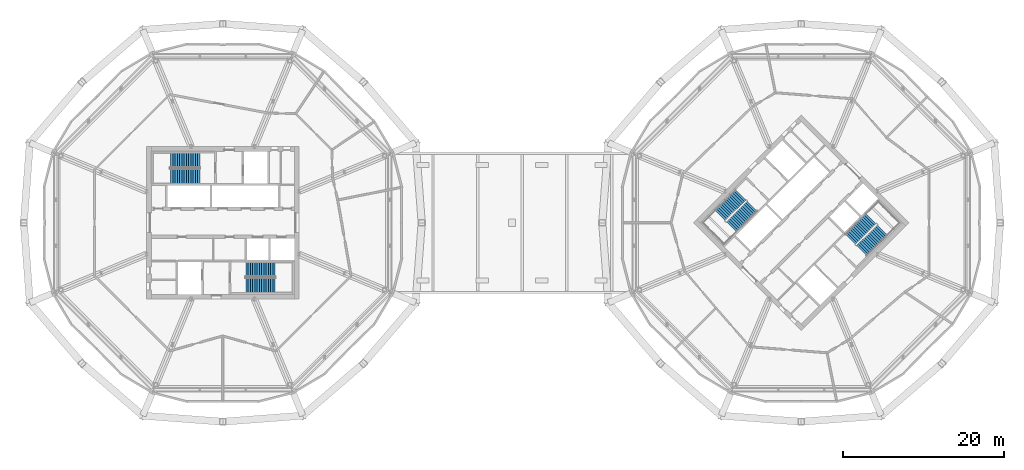
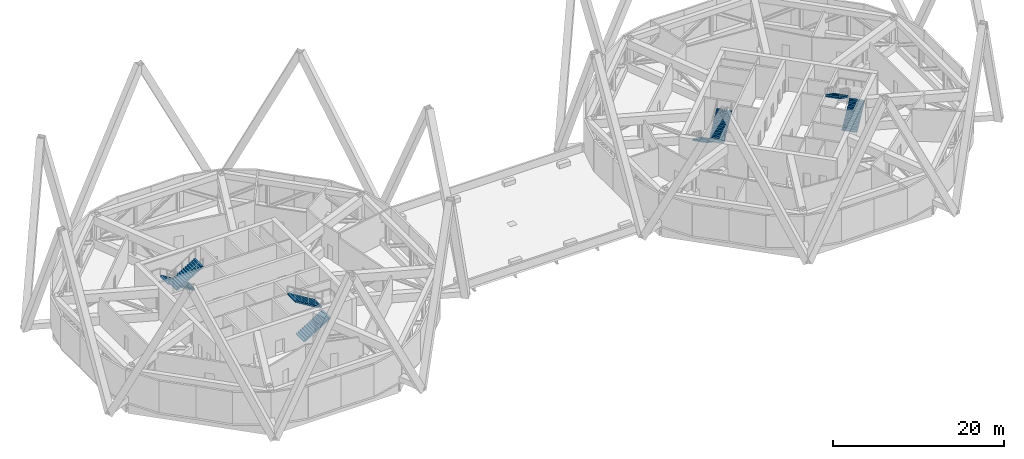
# One storey, part 18 of 20: 8 stair flights, 4 elements without a shape of their own.
"""IFC4 building model written with IfcOpenShell, lengths in metres."""

from ifc_helpers import new_model, si_unit, direction, frame, origin, place, context, subcontext, project, spatial, polyline, outline, extrude, material, type_object, element, aggregate, save


model = new_model("IFC4")

# Units and contexts
model_context = context("Model", 3, precision=1e-05, world=origin(), true_north=direction((0.0, 1.0)))
body_context = subcontext(model_context, "Body", "Model", "MODEL_VIEW")
ifc_project = project(units=[si_unit("LENGTHUNIT", "METRE"), si_unit("AREAUNIT", "SQUARE_METRE"), si_unit("VOLUMEUNIT", "CUBIC_METRE"), si_unit("PLANEANGLEUNIT", "RADIAN"), si_unit("MASSUNIT", "GRAM", prefix="KILO")], contexts=[model_context])

# Site, building, storey
site_placement = place(None, origin())
site = spatial("IfcSite", under=ifc_project, at=site_placement, CompositionType="ELEMENT")
building_placement = place(site_placement, origin())
building = spatial("IfcBuilding", under=site, at=building_placement, Name="Ogive Gate Towers", CompositionType="ELEMENT")
storey_placement = place(building_placement, frame((0.0, 0.0, 160.800048828125)))
storey = spatial("IfcBuildingStorey", under=building, at=storey_placement, Name="L38", CompositionType="ELEMENT", Elevation=160.800048828125)

# Stair, stair flights
ifc_material = material(Name="Concrete C40/50", Category="concrete")
stair_type = type_object("IfcStairType", Name="Escape stair 1840 wide", PredefinedType="HALF_TURN_STAIR", material=ifc_material)
stair_1_placement = place(storey_placement, origin())
stair_1 = element("IfcStair", 1, at=stair_1_placement, inside=storey, type_object=stair_type, Name="L38 Escape stair 1", PredefinedType="HALF_TURN_STAIR")
stair_flight_type = type_object("IfcStairFlightType", Name="Stair flight 1840 wide", PredefinedType="STRAIGHT", material=ifc_material)
stair_flight_1_placement = place(storey_placement, frame((-38.864990234375, 7.780029296875, 0.0), z_axis=(0.0, 0.0, 1.0), x_axis=(-1.0, 0.0, 0.0)))
stair_flight_1 = element("IfcStairFlight", 2, at=stair_flight_1_placement, type_object=stair_flight_type, Name="ST1 flight 1", NumberOfRisers=14, NumberOfTreads=13, PredefinedType="STRAIGHT", RiserHeight=0.171428571, TreadLength=0.28, context=body_context, shape_type="SweptSolid", body=[
    extrude(outline(polyline([(0.0, 0.0), (0.0, 0.17138671875), (0.280029296875, 0.17138671875), (0.280029296875, 0.3427734375), (0.56005859375, 0.3427734375), (0.56005859375, 0.514404296875), (0.840087890625, 0.514404296875), (0.840087890625, 0.685791015625), (1.1201171875, 0.685791015625), (1.1201171875, 0.857177734375), (1.39990234375, 0.857177734375), (1.39990234375, 1.028564453125), (1.679931640625, 1.028564453125), (1.679931640625, 1.199951171875), (1.9599609375, 1.199951171875), (1.9599609375, 1.371337890625), (2.239990234375, 1.371337890625), (2.239990234375, 1.54296875), (2.52001953125, 1.54296875), (2.52001953125, 1.71435546875), (2.800048828125, 1.71435546875), (2.800048828125, 1.8857421875), (3.080078125, 1.8857421875), (3.080078125, 2.05712890625), (3.360107421875, 2.05712890625), (3.360107421875, 2.228515625), (3.639892578125, 2.228515625), (3.639892578125, 2.39990234375), (3.639892578125, 2.052734375), (0.287109375, 0.0), (0.0, 0.0)])), frame((0.0, 0.919921875, 0.0), z_axis=(0.0, -1.0, 0.0), x_axis=(1.0, 0.0, 0.0)), (0.0, 0.0, 1.0), 1.840087890625),
])
stair_flight_2_placement = place(storey_placement, frame((-42.5048828125, 5.794921875, 2.39990234375), z_axis=(0.0, 0.0, 1.0), x_axis=(1.0, 0.0, 0.0)))
stair_flight_2 = element("IfcStairFlight", 3, at=stair_flight_2_placement, type_object=stair_flight_type, Name="ST1 flight 2", NumberOfRisers=14, NumberOfTreads=13, PredefinedType="STRAIGHT", RiserHeight=0.171428571, TreadLength=0.28, context=body_context, shape_type="SweptSolid", body=[
    extrude(outline(polyline([(0.0, 0.0), (0.0, 0.17138671875), (0.280029296875, 0.17138671875), (0.280029296875, 0.3427734375), (0.56005859375, 0.3427734375), (0.56005859375, 0.514404296875), (0.840087890625, 0.514404296875), (0.840087890625, 0.685791015625), (1.1201171875, 0.685791015625), (1.1201171875, 0.857177734375), (1.39990234375, 0.857177734375), (1.39990234375, 1.028564453125), (1.679931640625, 1.028564453125), (1.679931640625, 1.199951171875), (1.9599609375, 1.199951171875), (1.9599609375, 1.371337890625), (2.239990234375, 1.371337890625), (2.239990234375, 1.54296875), (2.52001953125, 1.54296875), (2.52001953125, 1.71435546875), (2.800048828125, 1.71435546875), (2.800048828125, 1.8857421875), (3.080078125, 1.8857421875), (3.080078125, 2.05712890625), (3.360107421875, 2.05712890625), (3.360107421875, 2.228515625), (3.639892578125, 2.228515625), (3.639892578125, 2.39990234375), (3.639892578125, 2.052734375), (0.287109375, 0.0), (0.0, 0.0)])), frame((0.0, 0.919921875, 0.0), z_axis=(0.0, -1.0, 0.0), x_axis=(1.0, 0.0, 0.0)), (0.0, 0.0, 1.0), 1.840087890625),
])
aggregate(stair_1, [stair_flight_1, stair_flight_2])

stair_2_placement = place(storey_placement, origin())
stair_2 = element("IfcStair", 4, at=stair_2_placement, inside=storey, type_object=stair_type, Name="L38 Escape stair 2", PredefinedType="HALF_TURN_STAIR")
stair_flight_3_placement = place(storey_placement, frame((-33.135009765625, -7.780029296875, 0.0), z_axis=(0.0, 0.0, 1.0), x_axis=(1.0, 0.0, 0.0)))
stair_flight_3 = element("IfcStairFlight", 5, at=stair_flight_3_placement, type_object=stair_flight_type, Name="ST2 flight 1", NumberOfRisers=14, NumberOfTreads=13, PredefinedType="STRAIGHT", RiserHeight=0.171428571, TreadLength=0.28, context=body_context, shape_type="SweptSolid", body=[
    extrude(outline(polyline([(0.0, 0.0), (0.0, 0.17138671875), (0.280029296875, 0.17138671875), (0.280029296875, 0.3427734375), (0.56005859375, 0.3427734375), (0.56005859375, 0.514404296875), (0.840087890625, 0.514404296875), (0.840087890625, 0.685791015625), (1.1201171875, 0.685791015625), (1.1201171875, 0.857177734375), (1.39990234375, 0.857177734375), (1.39990234375, 1.028564453125), (1.679931640625, 1.028564453125), (1.679931640625, 1.199951171875), (1.9599609375, 1.199951171875), (1.9599609375, 1.371337890625), (2.239990234375, 1.371337890625), (2.239990234375, 1.54296875), (2.52001953125, 1.54296875), (2.52001953125, 1.71435546875), (2.800048828125, 1.71435546875), (2.800048828125, 1.8857421875), (3.080078125, 1.8857421875), (3.080078125, 2.05712890625), (3.360107421875, 2.05712890625), (3.360107421875, 2.228515625), (3.639892578125, 2.228515625), (3.639892578125, 2.39990234375), (3.639892578125, 2.052734375), (0.287109375, 0.0), (0.0, 0.0)])), frame((0.0, 0.919921875, 0.0), z_axis=(0.0, -1.0, 0.0), x_axis=(1.0, 0.0, 0.0)), (0.0, 0.0, 1.0), 1.840087890625),
])
stair_flight_4_placement = place(storey_placement, frame((-29.4951171875, -5.794921875, 2.39990234375), z_axis=(0.0, 0.0, 1.0), x_axis=(-1.0, 0.0, 0.0)))
stair_flight_4 = element("IfcStairFlight", 6, at=stair_flight_4_placement, type_object=stair_flight_type, Name="ST2 flight 2", NumberOfRisers=14, NumberOfTreads=13, PredefinedType="STRAIGHT", RiserHeight=0.171428571, TreadLength=0.28, context=body_context, shape_type="SweptSolid", body=[
    extrude(outline(polyline([(0.0, 0.0), (0.0, 0.17138671875), (0.280029296875, 0.17138671875), (0.280029296875, 0.3427734375), (0.56005859375, 0.3427734375), (0.56005859375, 0.514404296875), (0.840087890625, 0.514404296875), (0.840087890625, 0.685791015625), (1.1201171875, 0.685791015625), (1.1201171875, 0.857177734375), (1.39990234375, 0.857177734375), (1.39990234375, 1.028564453125), (1.679931640625, 1.028564453125), (1.679931640625, 1.199951171875), (1.9599609375, 1.199951171875), (1.9599609375, 1.371337890625), (2.239990234375, 1.371337890625), (2.239990234375, 1.54296875), (2.52001953125, 1.54296875), (2.52001953125, 1.71435546875), (2.800048828125, 1.71435546875), (2.800048828125, 1.8857421875), (3.080078125, 1.8857421875), (3.080078125, 2.05712890625), (3.360107421875, 2.05712890625), (3.360107421875, 2.228515625), (3.639892578125, 2.228515625), (3.639892578125, 2.39990234375), (3.639892578125, 2.052734375), (0.287109375, 0.0), (0.0, 0.0)])), frame((0.0, 0.919921875, 0.0), z_axis=(0.0, -1.0, 0.0), x_axis=(1.0, 0.0, 0.0)), (0.0, 0.0, 1.0), 1.840087890625),
])
aggregate(stair_2, [stair_flight_3, stair_flight_4])

stair_3_placement = place(storey_placement, origin())
stair_3 = element("IfcStair", 7, at=stair_3_placement, inside=storey, type_object=stair_type, Name="L38 Escape stair 1", PredefinedType="HALF_TURN_STAIR")
stair_flight_5_placement = place(storey_placement, frame((28.472900390625, 3.475341796875, 0.0), z_axis=(0.0, 0.0, 1.0), x_axis=(-0.707106781187, -0.707106781187, 0.0)))
stair_flight_5 = element("IfcStairFlight", 8, at=stair_flight_5_placement, type_object=stair_flight_type, Name="ST1 flight 1", NumberOfRisers=14, NumberOfTreads=13, PredefinedType="STRAIGHT", RiserHeight=0.171428571, TreadLength=0.28, context=body_context, shape_type="SweptSolid", body=[
    extrude(outline(polyline([(0.0, 0.0), (0.0, 0.17138671875), (0.280029296875, 0.17138671875), (0.280029296875, 0.3427734375), (0.56005859375, 0.3427734375), (0.56005859375, 0.514404296875), (0.840087890625, 0.514404296875), (0.840087890625, 0.685791015625), (1.1201171875, 0.685791015625), (1.1201171875, 0.857177734375), (1.39990234375, 0.857177734375), (1.39990234375, 1.028564453125), (1.679931640625, 1.028564453125), (1.679931640625, 1.199951171875), (1.9599609375, 1.199951171875), (1.9599609375, 1.371337890625), (2.239990234375, 1.371337890625), (2.239990234375, 1.54296875), (2.52001953125, 1.54296875), (2.52001953125, 1.71435546875), (2.800048828125, 1.71435546875), (2.800048828125, 1.8857421875), (3.080078125, 1.8857421875), (3.080078125, 2.05712890625), (3.360107421875, 2.05712890625), (3.360107421875, 2.228515625), (3.639892578125, 2.228515625), (3.639892578125, 2.39990234375), (3.639892578125, 2.052734375), (0.287109375, 0.0), (0.0, 0.0)])), frame((0.0, 0.919921875, 0.0), z_axis=(0.0, -1.0, 0.0), x_axis=(1.0, 0.0, 0.0)), (0.0, 0.0, 1.0), 1.840087890625),
])
stair_flight_6_placement = place(storey_placement, frame((27.302490234375, -0.501953125, 2.39990234375), z_axis=(0.0, 0.0, 1.0), x_axis=(0.707106781187, 0.707106781187, 0.0)))
stair_flight_6 = element("IfcStairFlight", 9, at=stair_flight_6_placement, type_object=stair_flight_type, Name="ST1 flight 2", NumberOfRisers=14, NumberOfTreads=13, PredefinedType="STRAIGHT", RiserHeight=0.171428571, TreadLength=0.28, context=body_context, shape_type="SweptSolid", body=[
    extrude(outline(polyline([(0.0, 0.0), (0.0, 0.17138671875), (0.280029296875, 0.17138671875), (0.280029296875, 0.3427734375), (0.56005859375, 0.3427734375), (0.56005859375, 0.514404296875), (0.840087890625, 0.514404296875), (0.840087890625, 0.685791015625), (1.1201171875, 0.685791015625), (1.1201171875, 0.857177734375), (1.39990234375, 0.857177734375), (1.39990234375, 1.028564453125), (1.679931640625, 1.028564453125), (1.679931640625, 1.199951171875), (1.9599609375, 1.199951171875), (1.9599609375, 1.371337890625), (2.239990234375, 1.371337890625), (2.239990234375, 1.54296875), (2.52001953125, 1.54296875), (2.52001953125, 1.71435546875), (2.800048828125, 1.71435546875), (2.800048828125, 1.8857421875), (3.080078125, 1.8857421875), (3.080078125, 2.05712890625), (3.360107421875, 2.05712890625), (3.360107421875, 2.228515625), (3.639892578125, 2.228515625), (3.639892578125, 2.39990234375), (3.639892578125, 2.052734375), (0.287109375, 0.0), (0.0, 0.0)])), frame((0.0, 0.919921875, 0.0), z_axis=(0.0, -1.0, 0.0), x_axis=(1.0, 0.0, 0.0)), (0.0, 0.0, 1.0), 1.840087890625),
])
aggregate(stair_3, [stair_flight_5, stair_flight_6])

stair_4_placement = place(storey_placement, origin())
stair_4 = element("IfcStair", 10, at=stair_4_placement, inside=storey, type_object=stair_type, Name="L38 Escape stair 2", PredefinedType="HALF_TURN_STAIR")
stair_flight_7_placement = place(storey_placement, frame((43.527099609375, -3.475341796875, 0.0), z_axis=(0.0, 0.0, 1.0), x_axis=(0.707106781187, 0.707106781187, 0.0)))
stair_flight_7 = element("IfcStairFlight", 11, at=stair_flight_7_placement, type_object=stair_flight_type, Name="ST2 flight 1", NumberOfRisers=14, NumberOfTreads=13, PredefinedType="STRAIGHT", RiserHeight=0.171428571, TreadLength=0.28, context=body_context, shape_type="SweptSolid", body=[
    extrude(outline(polyline([(0.0, 0.0), (0.0, 0.17138671875), (0.280029296875, 0.17138671875), (0.280029296875, 0.3427734375), (0.56005859375, 0.3427734375), (0.56005859375, 0.514404296875), (0.840087890625, 0.514404296875), (0.840087890625, 0.685791015625), (1.1201171875, 0.685791015625), (1.1201171875, 0.857177734375), (1.39990234375, 0.857177734375), (1.39990234375, 1.028564453125), (1.679931640625, 1.028564453125), (1.679931640625, 1.199951171875), (1.9599609375, 1.199951171875), (1.9599609375, 1.371337890625), (2.239990234375, 1.371337890625), (2.239990234375, 1.54296875), (2.52001953125, 1.54296875), (2.52001953125, 1.71435546875), (2.800048828125, 1.71435546875), (2.800048828125, 1.8857421875), (3.080078125, 1.8857421875), (3.080078125, 2.05712890625), (3.360107421875, 2.05712890625), (3.360107421875, 2.228515625), (3.639892578125, 2.228515625), (3.639892578125, 2.39990234375), (3.639892578125, 2.052734375), (0.287109375, 0.0), (0.0, 0.0)])), frame((0.0, 0.919921875, 0.0), z_axis=(0.0, -1.0, 0.0), x_axis=(1.0, 0.0, 0.0)), (0.0, 0.0, 1.0), 1.840087890625),
])
stair_flight_8_placement = place(storey_placement, frame((44.697509765625, 0.501953125, 2.39990234375), z_axis=(0.0, 0.0, 1.0), x_axis=(-0.707106781187, -0.707106781187, 0.0)))
stair_flight_8 = element("IfcStairFlight", 12, at=stair_flight_8_placement, type_object=stair_flight_type, Name="ST2 flight 2", NumberOfRisers=14, NumberOfTreads=13, PredefinedType="STRAIGHT", RiserHeight=0.171428571, TreadLength=0.28, context=body_context, shape_type="SweptSolid", body=[
    extrude(outline(polyline([(0.0, 0.0), (0.0, 0.17138671875), (0.280029296875, 0.17138671875), (0.280029296875, 0.3427734375), (0.56005859375, 0.3427734375), (0.56005859375, 0.514404296875), (0.840087890625, 0.514404296875), (0.840087890625, 0.685791015625), (1.1201171875, 0.685791015625), (1.1201171875, 0.857177734375), (1.39990234375, 0.857177734375), (1.39990234375, 1.028564453125), (1.679931640625, 1.028564453125), (1.679931640625, 1.199951171875), (1.9599609375, 1.199951171875), (1.9599609375, 1.371337890625), (2.239990234375, 1.371337890625), (2.239990234375, 1.54296875), (2.52001953125, 1.54296875), (2.52001953125, 1.71435546875), (2.800048828125, 1.71435546875), (2.800048828125, 1.8857421875), (3.080078125, 1.8857421875), (3.080078125, 2.05712890625), (3.360107421875, 2.05712890625), (3.360107421875, 2.228515625), (3.639892578125, 2.228515625), (3.639892578125, 2.39990234375), (3.639892578125, 2.052734375), (0.287109375, 0.0), (0.0, 0.0)])), frame((0.0, 0.919921875, 0.0), z_axis=(0.0, -1.0, 0.0), x_axis=(1.0, 0.0, 0.0)), (0.0, 0.0, 1.0), 1.840087890625),
])
aggregate(stair_4, [stair_flight_7, stair_flight_8])

save(model, "model.ifc")
